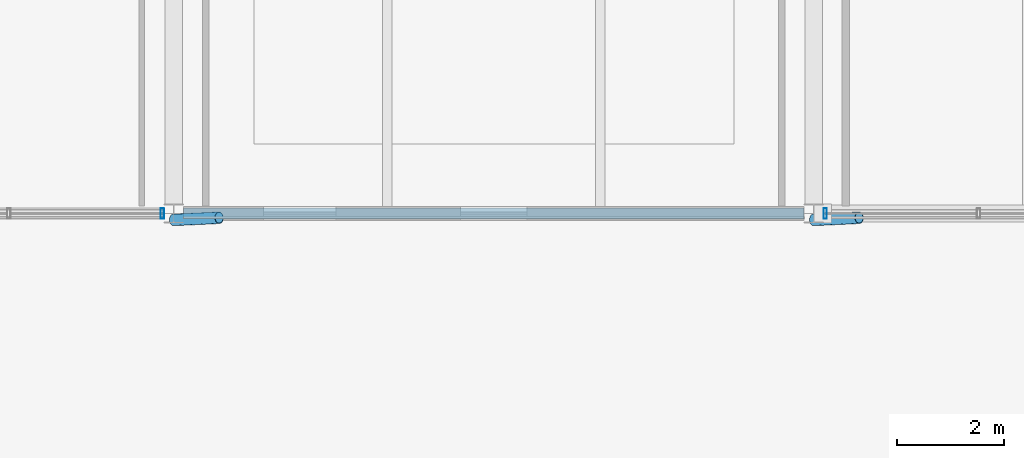
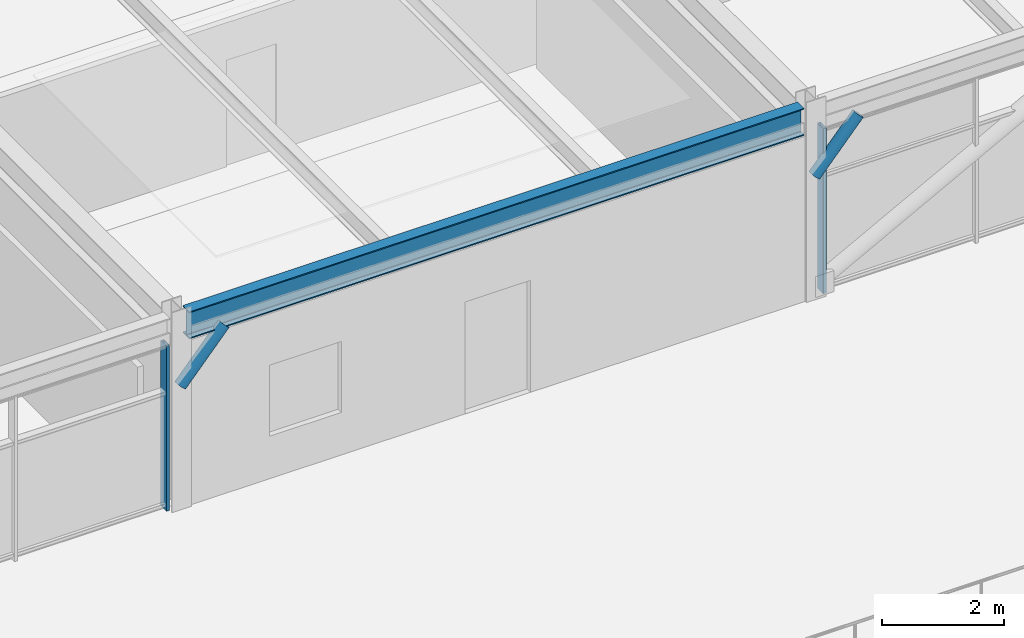
# One storey, part 16 of 30: 4 members, 1 beam, 2 elements without a shape of their own.
"""IFC4 building model written with IfcOpenShell, lengths in metres."""

from ifc_helpers import new_model, si_unit, direction, frame, origin, origin_2d, place, context, subcontext, project, spatial, hollow_rectangle, hollow_circle, i_section, extrude, material, material_profile, profile_set, type_object, element, aggregate, save


model = new_model("IFC4")

# Units and contexts
model_context = context("Model", 3, precision=1e-05, world=origin(), true_north=direction((0.0, 1.0)))
body_context = subcontext(model_context, "Body", "Model", "MODEL_VIEW")
ifc_project = project(units=[si_unit("LENGTHUNIT", "METRE"), si_unit("AREAUNIT", "SQUARE_METRE"), si_unit("VOLUMEUNIT", "CUBIC_METRE"), si_unit("PLANEANGLEUNIT", "RADIAN"), si_unit("MASSUNIT", "GRAM", prefix="KILO")], contexts=[model_context])

# Site, building, storey
site_placement = place(None, origin())
site = spatial("IfcSite", under=ifc_project, at=site_placement, CompositionType="ELEMENT")
building_placement = place(site_placement, origin())
building = spatial("IfcBuilding", under=site, at=building_placement, Name="Girod Span Mobility Hub", CompositionType="ELEMENT")
storey_placement = place(building_placement, frame((0.0, 0.0, 49.60009765625)))
storey = spatial("IfcBuildingStorey", under=building, at=storey_placement, Name="L12", CompositionType="ELEMENT", Elevation=49.60009765625)

# Beam
ifc_material_1 = material(Name="Steel A992 Grade 50", Category="steel")
ifc_material_profile_1 = material_profile(ifc_material_1, i_section(OverallWidth=0.2119140625, OverallDepth=0.5439453125, WebThickness=0.01318359375, FlangeThickness=0.021240234375, FilletRadius=0.014892578125, at=origin_2d()), Name="W21X83")
ifc_profile_set_1 = profile_set([ifc_material_profile_1], Name="Steel A992 Grade 50")
beam_type = type_object("IfcBeamType", Name="BM-STL-W21X83", PredefinedType="SPANDREL", material=ifc_profile_set_1)
beam_placement = place(storey_placement, frame((96.181396484375, 45.0, 3.572998046875), z_axis=(1.0, 0.0, 0.0), x_axis=(0.0, 1.0, 0.0)))
element("IfcBeam", 1, at=beam_placement, inside=storey, type_object=beam_type, Name="Girder 9-10/D L12", PredefinedType="SPANDREL", context=body_context, shape_type="SweptSolid", body=[
    extrude(i_section(OverallWidth=0.2119140625, OverallDepth=0.5439453125, WebThickness=0.01318359375, FlangeThickness=0.021240234375, FilletRadius=0.014892578125, at=origin_2d()), origin(), (0.0, 0.0, 1.0), 11.63720703125),
])

# Curtain wall, member
ifc_material_2 = material(Name="Thermally Broken Anodised Aluminium", Category="aluminium")
curtain_wall_type = type_object("IfcCurtainWallType", Name="CW-1164X330", PredefinedType="USERDEFINED", material=ifc_material_2)
curtain_wall_1_placement = place(storey_placement, origin())
curtain_wall_1 = element("IfcCurtainWall", 2, at=curtain_wall_1_placement, inside=storey, type_object=curtain_wall_type, Name="Unitised Curtain Wall CW-L12-S08 L12", ObjectType="UNITISED CURTAIN WALL", PredefinedType="USERDEFINED")
ifc_material_3 = material(Name="Thermally Broken Anodised Aluminium", Category="aluminium")
ifc_material_profile_2 = material_profile(ifc_material_3, hollow_rectangle(XDim=0.199951171875, YDim=0.06494140625, WallThickness=0.00390625, InnerFilletRadius=0.00390625, OuterFilletRadius=0.008056640625, at=origin_2d()), Name="CW-ML-65X200")
ifc_profile_set_2 = profile_set([ifc_material_profile_2], Name="Thermally Broken Anodised Aluminium")
member_type_1 = type_object("IfcMemberType", Name="CWM-ML-1", PredefinedType="MULLION", material=ifc_profile_set_2)
member_1_placement = place(storey_placement, frame((95.785400390625, 45.0, 0.0), z_axis=(0.0, 0.0, 1.0), x_axis=(0.0, 1.0, 0.0)))
member_1 = element("IfcMember", 3, at=member_1_placement, type_object=member_type_1, Name="Curtain Wall Mullion CW-L12-S08-M4", PredefinedType="MULLION", context=body_context, shape_type="SweptSolid", body=[
    extrude(hollow_rectangle(XDim=0.199951171875, YDim=0.06494140625, WallThickness=0.00390625, InnerFilletRadius=0.00390625, OuterFilletRadius=0.008056640625, at=origin_2d()), origin(), (0.0, 0.0, 1.0), 3.30078125),
])
aggregate(curtain_wall_1, [member_1])

curtain_wall_2_placement = place(storey_placement, origin())
curtain_wall_2 = element("IfcCurtainWall", 4, at=curtain_wall_2_placement, inside=storey, type_object=curtain_wall_type, Name="Unitised Curtain Wall CW-L12-S10 L12", ObjectType="UNITISED CURTAIN WALL", PredefinedType="USERDEFINED")
member_2_placement = place(storey_placement, frame((108.214599609375, 45.0, 0.0), z_axis=(0.0, 0.0, 1.0), x_axis=(0.0, 1.0, 0.0)))
member_2 = element("IfcMember", 5, at=member_2_placement, type_object=member_type_1, Name="Curtain Wall Mullion CW-L12-S10-M0", PredefinedType="MULLION", context=body_context, shape_type="SweptSolid", body=[
    extrude(hollow_rectangle(XDim=0.199951171875, YDim=0.06494140625, WallThickness=0.00390625, InnerFilletRadius=0.00390625, OuterFilletRadius=0.008056640625, at=origin_2d()), origin(), (0.0, 0.0, 1.0), 3.30078125),
])
aggregate(curtain_wall_2, [member_2])

# Members
ifc_material_4 = material(Name="Steel HSS A500 Grade C", Category="steel")
ifc_material_profile_3 = material_profile(ifc_material_4, hollow_circle(Radius=0.109619140625, WallThickness=0.0087890625, at=origin_2d()), Name="HSS219X9.5")
ifc_profile_set_3 = profile_set([ifc_material_profile_3], Name="Steel HSS A500 Grade C")
member_type_2 = type_object("IfcMemberType", Name="MB-ST-HSS219", PredefinedType="STRUT", material=ifc_profile_set_3)
for number, where, z_axis, x_axis, name in (
    (6, (96.0, 44.8798828125, 2.449951171875), (0.680281556862, 0.032040831512, 0.732250222608), (-0.047047213483, 0.998892666758, 0.0), "Solar Shading Knee Strut 9 L12"),
    (7, (108.0, 44.8798828125, 2.449951171875), (0.680281556862, 0.032040831512, 0.732250222608), (-0.047047213483, 0.998892666758, 0.0), "Solar Shading Knee Strut 10 L12"),
):
    element("IfcMember", number, at=place(storey_placement, frame(where, z_axis=z_axis, x_axis=x_axis)), inside=storey, type_object=member_type_2, Name=name, PredefinedType="STRUT", context=body_context, shape_type="SweptSolid", body=[
        extrude(hollow_circle(Radius=0.109619140625, WallThickness=0.0087890625, at=origin_2d()), origin(), (0.0, 0.0, 1.0), 1.24951171875),
    ])

save(model, "model.ifc")
